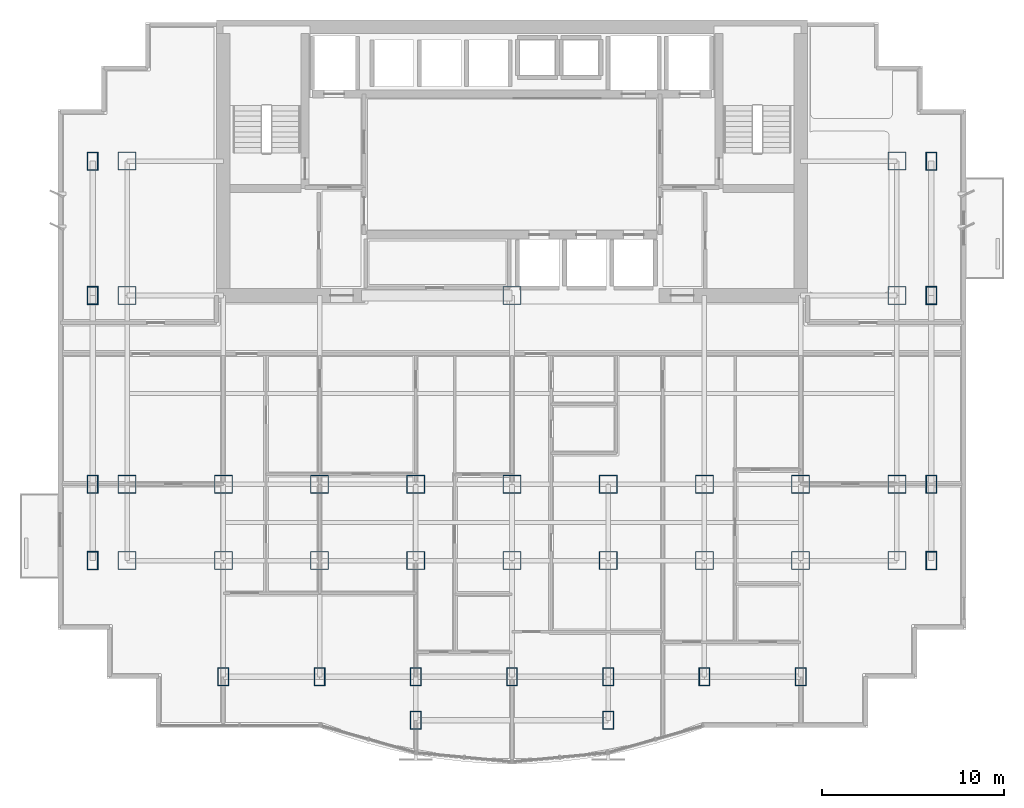
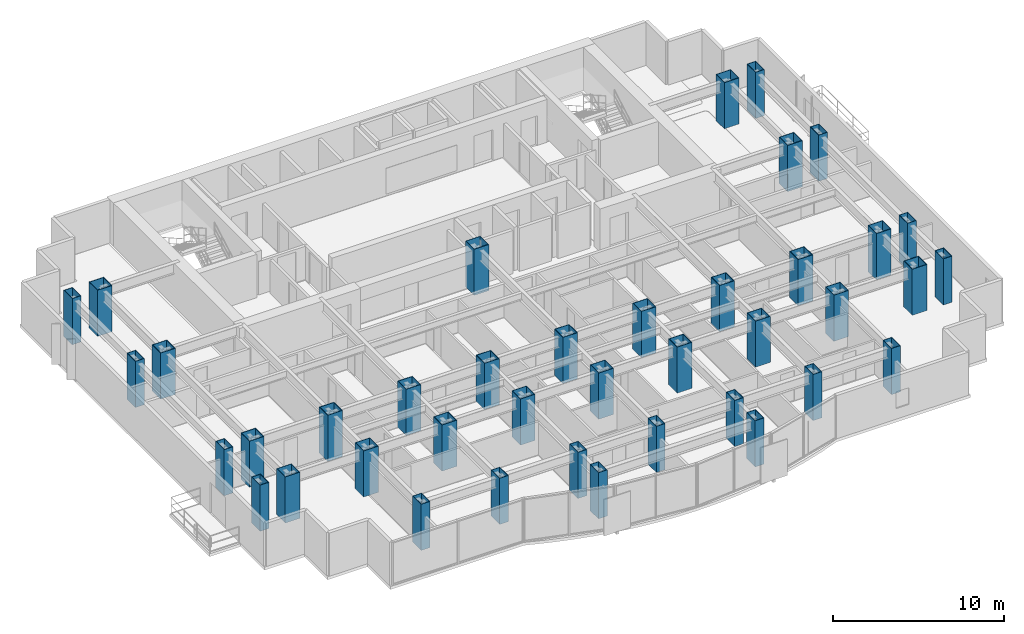
# One storey, part 1 of 10: 40 columns.
"""IFC4 building model written with IfcOpenShell, lengths in metres."""

import ifcopenshell
import ifcopenshell.guid

model = None  # the IFC model being written
_history = None  # IfcOwnerHistory: only IFC2X3 demands one
_inside = {}  # id of a spatial element -> (the spatial element, [elements in it])
_under = {}  # id of a project, library or spatial element -> (it, [spatial elements below it])
_declared = {}  # id of a project -> (the project, [libraries it declares])
_typed = {}  # id of a type object -> (the type object, [elements of that type])
_made_of = {}  # id of a material, layer set ... -> (it, [elements and type objects made of it])


def new_model(schema):
    """Start an empty IFC model of exactly this schema.

    Asked for "IFC4X3", IfcOpenShell would pick the latest addendum, in which some entities
    have other attributes; the version numbers below select the first issue.
    IFC2X3 requires an IfcOwnerHistory on every rooted entity: one is made here for all.
    """
    global model, _history
    if schema == "IFC4X3":
        model = ifcopenshell.file(schema_version=(4, 3, 0, 0))
    else:
        model = ifcopenshell.file(schema=schema)
    _inside.clear()
    _under.clear()
    _declared.clear()
    _typed.clear()
    _made_of.clear()
    _history = None
    if model.schema == "IFC2X3":
        org = make("IfcOrganization", Name="unknown")
        user = make(
            "IfcPersonAndOrganization",
            ThePerson=make("IfcPerson", FamilyName="unknown"),
            TheOrganization=org,
        )
        app = make(
            "IfcApplication",
            ApplicationDeveloper=org,
            Version="unknown",
            ApplicationFullName="unknown",
            ApplicationIdentifier="unknown",
        )
        _history = make(
            "IfcOwnerHistory",
            OwningUser=user,
            OwningApplication=app,
            ChangeAction="ADDED",
            CreationDate=0,
        )
    return model


def make(cls, **values):
    """One entity of the class cls with the attributes given. An attribute that is None is left unset."""
    return model.create_entity(
        cls, **{name: value for name, value in values.items() if value is not None}
    )


def rooted(cls, **values):
    """An entity with a GlobalId (a new one), such as an element, a storey or a relation."""
    return make(cls, GlobalId=ifcopenshell.guid.new(), OwnerHistory=_history, **values)


def si_unit(unit_type, name, prefix=None):
    """IfcSIUnit, for example si_unit("LENGTHUNIT", "METRE", prefix="MILLI")."""
    return make("IfcSIUnit", UnitType=unit_type, Prefix=prefix, Name=name)


def assignment(units):
    """IfcUnitAssignment: the units of a project."""
    return None if units is None else make("IfcUnitAssignment", Units=units)


def point(xyz):
    """IfcCartesianPoint."""
    return None if xyz is None else make("IfcCartesianPoint", Coordinates=xyz)


def direction(xyz):
    """IfcDirection."""
    return None if xyz is None else make("IfcDirection", DirectionRatios=xyz)


def frame(location, z_axis=None, x_axis=None):
    """IfcAxis2Placement3D, a coordinate frame: its origin and axes. An axis left out is left unset."""
    return make(
        "IfcAxis2Placement3D",
        Location=point(location),
        Axis=direction(z_axis),
        RefDirection=direction(x_axis),
    )


def frame_2d(location, x_axis=None):
    """IfcAxis2Placement2D, a coordinate frame in the plane: its origin and x axis."""
    return make(
        "IfcAxis2Placement2D", Location=point(location), RefDirection=direction(x_axis)
    )


def origin():
    """The frame at (0, 0, 0) with its axes left unset."""
    return frame((0.0, 0.0, 0.0))


def origin_2d():
    """The frame at (0, 0) in the plane with its x axis left unset."""
    return frame_2d((0.0, 0.0))


def place(relative_to, where):
    """IfcLocalPlacement: puts the frame where relative to a parent placement (None: the world)."""
    return make(
        "IfcLocalPlacement", PlacementRelTo=relative_to, RelativePlacement=where
    )


def context(
    kind, dimensions, precision=None, world=None, true_north=None, identifier=None
):
    """IfcGeometricRepresentationContext, for example the 3D "Model" context."""
    return make(
        "IfcGeometricRepresentationContext",
        ContextIdentifier=identifier,
        ContextType=kind,
        CoordinateSpaceDimension=dimensions,
        Precision=precision,
        WorldCoordinateSystem=world,
        TrueNorth=true_north,
    )


def subcontext(parent, identifier, kind, view, scale=None):
    """IfcGeometricRepresentationSubContext, for example "Body" below "Model"."""
    return make(
        "IfcGeometricRepresentationSubContext",
        ContextIdentifier=identifier,
        ContextType=kind,
        ParentContext=parent,
        TargetScale=scale,
        TargetView=view,
    )


def project(units=None, contexts=None):
    """IfcProject with its units and contexts."""
    return rooted(
        "IfcProject",
        Name="project",
        RepresentationContexts=contexts,
        UnitsInContext=assignment(units),
    )


def spatial(cls, under=None, at=None, **own):
    """A site, building, storey or space (cls), placed at a placement, below another one or the project."""
    s = rooted(cls, ObjectPlacement=at, **own)
    if under is not None:
        _under.setdefault(under.id(), (under, []))[1].append(s)
    return s


def profile(cls, at=None, kind="AREA", **sizes):
    """A parametric profile (cls). Its sizes go by their IFC names, for example OverallWidth=200.0."""
    return make(cls, ProfileType=kind, Position=at, **sizes)


def hollow_rectangle(**sizes):
    """IfcRectangleHollowProfileDef."""
    return profile("IfcRectangleHollowProfileDef", **sizes)


def extrude(swept, where, along, depth):
    """IfcExtrudedAreaSolid: the profile swept, set in the frame where, extruded along a direction by depth."""
    return make(
        "IfcExtrudedAreaSolid",
        SweptArea=swept,
        Position=where,
        ExtrudedDirection=direction(along),
        Depth=depth,
    )


def shape(context_of_items, identifier, shape_type, items):
    """IfcShapeRepresentation: the items that make up one representation, for example the "Body"."""
    return make(
        "IfcShapeRepresentation",
        ContextOfItems=context_of_items,
        RepresentationIdentifier=identifier,
        RepresentationType=shape_type,
        Items=items,
    )


def material(Name=None, Category=None):
    """IfcMaterial."""
    return make("IfcMaterial", Name=Name, Category=Category)


def material_profile(
    of_material, cross_section, Name=None, Category=None, Priority=None
):
    """IfcMaterialProfile: a cross section and its material."""
    return make(
        "IfcMaterialProfile",
        Name=Name,
        Material=of_material,
        Profile=cross_section,
        Priority=Priority,
        Category=Category,
    )


def profile_set(profiles, Name=None, composite=None):
    """IfcMaterialProfileSet."""
    return make(
        "IfcMaterialProfileSet",
        Name=Name,
        MaterialProfiles=profiles,
        CompositeProfile=composite,
    )


def made_of(thing, what):
    """Note that an element or type object is made of a material, layer set ...; save() writes the relation."""
    if what is not None:
        _made_of.setdefault(what.id(), (what, []))[1].append(thing)
    return thing


def type_object(cls, material=None, **own):
    """A type object (cls), such as IfcWallType, which elements share."""
    return made_of(rooted(cls, **own), material)


def element(
    cls,
    number,
    at=None,
    inside=None,
    cuts=None,
    type_object=None,
    material=None,
    context=None,
    identifier="Body",
    shape_type=None,
    held_by="IfcProductDefinitionShape",
    body=None,
    shapes=None,
    **own,
):
    """One element of the class cls, such as IfcWall. Its Tag is "e" and its number.

    at: its placement. inside: the storey or other place that contains it. cuts: it is an
    opening in that element (IfcRelVoidsElement). A single representation is given by context,
    identifier, shape_type and body (its items); several are given by shapes. held_by: the class
    of the entity that holds the representations. save() writes the other relations.
    """
    e = rooted(cls, Tag="e%d" % number, ObjectPlacement=at, **own)
    if body is not None:
        shapes = [shape(context, identifier, shape_type, body)]
    if shapes is not None:
        e.Representation = make(held_by, Representations=shapes)
    if inside is not None:
        _inside.setdefault(inside.id(), (inside, []))[1].append(e)
    if cuts is not None:
        rooted(
            "IfcRelVoidsElement", RelatingBuildingElement=cuts, RelatedOpeningElement=e
        )
    if type_object is not None:
        _typed.setdefault(type_object.id(), (type_object, []))[1].append(e)
    return made_of(e, material)


def aggregate(whole, parts):
    """IfcRelAggregates: a whole, such as a stair, and the parts it consists of."""
    return rooted("IfcRelAggregates", RelatingObject=whole, RelatedObjects=parts)


def save(model, path):
    """Write the relations noted so far, then the file.

    IfcRelAggregates (storeys below a building ...), IfcRelContainedInSpatialStructure (elements
    in a storey), IfcRelDefinesByType, IfcRelAssociatesMaterial and IfcRelDeclares: one each for
    every whole, place, type object, material and project.
    """
    for whole, parts in _under.values():
        aggregate(whole, parts)
    for where, things in _inside.values():
        rooted(
            "IfcRelContainedInSpatialStructure",
            RelatedElements=things,
            RelatingStructure=where,
        )
    for kind, things in _typed.values():
        rooted("IfcRelDefinesByType", RelatedObjects=things, RelatingType=kind)
    for what, things in _made_of.values():
        rooted("IfcRelAssociatesMaterial", RelatedObjects=things, RelatingMaterial=what)
    for by, libraries in _declared.values():
        rooted("IfcRelDeclares", RelatingContext=by, RelatedDefinitions=libraries)
    model.write(path)


model = new_model("IFC4")

# Units and contexts
model_context = context("Model", 3, precision=1e-05, world=origin(), true_north=direction((0.0, 1.0)))
body_context = subcontext(model_context, "Body", "Model", "MODEL_VIEW")
ifc_project = project(units=[si_unit("LENGTHUNIT", "METRE"), si_unit("AREAUNIT", "SQUARE_METRE"), si_unit("VOLUMEUNIT", "CUBIC_METRE"), si_unit("PLANEANGLEUNIT", "RADIAN"), si_unit("MASSUNIT", "GRAM", prefix="KILO")], contexts=[model_context])

# Site, building, storey
site_placement = place(None, origin())
site = spatial("IfcSite", under=ifc_project, at=site_placement, CompositionType="ELEMENT")
building_placement = place(site_placement, origin())
building = spatial("IfcBuilding", under=site, at=building_placement, Name="Qianlan Lanfeng Residences", CompositionType="ELEMENT")
storey_placement = place(building_placement, frame((0.0, 0.0, 98.199951171875)))
storey = spatial("IfcBuildingStorey", under=building, at=storey_placement, Name="L26", CompositionType="ELEMENT", Elevation=98.199951171875)

# Columns
ifc_material = material(Name="Steel SN490B", Category="steel")
ifc_material_profile_1 = material_profile(ifc_material, hollow_rectangle(XDim=1.0, YDim=1.0, WallThickness=0.035888671875, at=origin_2d()), Name="BOX 1000x1000x36")
ifc_profile_set_1 = profile_set([ifc_material_profile_1], Name="Steel SN490B")
column_type_1 = type_object("IfcColumnType", Name="C-B1200", PredefinedType="COLUMN", material=ifc_profile_set_1)
for number, where, z_axis, x_axis, name in (
    (1, (26.5, 25.199951171875, 0.0), (0.0, 0.0, 1.0), (1.0, 0.0, 0.0), "L26 Structural Column CP_26.5_25.2"),
    (2, (10.60009765625, 14.800048828125, 0.0), (0.0, 0.0, 1.0), (1.0, 0.0, 0.0), "L26 Structural Column M_10.60_14.80"),
    (3, (10.60009765625, 10.60009765625, 0.0), (0.0, 0.0, 1.0), (1.0, 0.0, 0.0), "L26 Structural Column G_10.60_10.60"),
    (4, (15.89990234375, 14.800048828125, 0.0), (0.0, 0.0, 1.0), (1.0, 0.0, 0.0), "L26 Structural Column M_15.90_14.80"),
    (5, (15.89990234375, 10.60009765625, 0.0), (0.0, 0.0, 1.0), (1.0, 0.0, 0.0), "L26 Structural Column G_15.90_10.60"),
    (6, (21.199951171875, 14.800048828125, 0.0), (0.0, 0.0, 1.0), (1.0, 0.0, 0.0), "L26 Structural Column M_21.20_14.80"),
    (7, (21.199951171875, 10.60009765625, 0.0), (0.0, 0.0, 1.0), (1.0, 0.0, 0.0), "L26 Structural Column G_21.20_10.60"),
    (8, (26.5, 14.800048828125, 0.0), (0.0, 0.0, 1.0), (1.0, 0.0, 0.0), "L26 Structural Column M_26.50_14.80"),
    (9, (26.5, 10.60009765625, 0.0), (0.0, 0.0, 1.0), (1.0, 0.0, 0.0), "L26 Structural Column G_26.50_10.60"),
    (10, (31.800048828125, 14.800048828125, 0.0), (0.0, 0.0, 1.0), (1.0, 0.0, 0.0), "L26 Structural Column M_31.80_14.80"),
    (11, (31.800048828125, 10.60009765625, 0.0), (0.0, 0.0, 1.0), (1.0, 0.0, 0.0), "L26 Structural Column G_31.80_10.60"),
    (12, (37.10009765625, 14.800048828125, 0.0), (0.0, 0.0, 1.0), (1.0, 0.0, 0.0), "L26 Structural Column M_37.10_14.80"),
    (13, (37.10009765625, 10.60009765625, 0.0), (0.0, 0.0, 1.0), (1.0, 0.0, 0.0), "L26 Structural Column G_37.10_10.60"),
    (14, (42.39990234375, 14.800048828125, 0.0), (0.0, 0.0, 1.0), (1.0, 0.0, 0.0), "L26 Structural Column M_42.40_14.80"),
    (15, (42.39990234375, 10.60009765625, 0.0), (0.0, 0.0, 1.0), (1.0, 0.0, 0.0), "L26 Structural Column G_42.40_10.60"),
    (16, (5.300048828125, 10.60009765625, 0.0), (0.0, 0.0, 1.0), (1.0, 0.0, 0.0), "L26 Structural Column W_5.30_10.60"),
    (17, (5.300048828125, 14.800048828125, 0.0), (0.0, 0.0, 1.0), (1.0, 0.0, 0.0), "L26 Structural Column W_5.30_14.80"),
    (18, (5.300048828125, 25.199951171875, 0.0), (0.0, 0.0, 1.0), (1.0, 0.0, 0.0), "L26 Structural Column W_5.30_25.20"),
    (19, (5.300048828125, 32.60009765625, 0.0), (0.0, 0.0, 1.0), (1.0, 0.0, 0.0), "L26 Structural Column W_5.30_32.60"),
    (20, (47.699951171875, 10.60009765625, 0.0), (0.0, 0.0, 1.0), (1.0, 0.0, 0.0), "L26 Structural Column W_47.70_10.60"),
    (21, (47.699951171875, 14.800048828125, 0.0), (0.0, 0.0, 1.0), (1.0, 0.0, 0.0), "L26 Structural Column W_47.70_14.80"),
    (22, (47.699951171875, 25.199951171875, 0.0), (0.0, 0.0, 1.0), (1.0, 0.0, 0.0), "L26 Structural Column W_47.70_25.20"),
    (23, (47.699951171875, 32.60009765625, 0.0), (0.0, 0.0, 1.0), (1.0, 0.0, 0.0), "L26 Structural Column W_47.70_32.60"),
):
    element("IfcColumn", number, at=place(storey_placement, frame(where, z_axis=z_axis, x_axis=x_axis)), inside=storey, type_object=column_type_1, Name=name, PredefinedType="COLUMN", context=body_context, shape_type="SweptSolid", body=[
        extrude(hollow_rectangle(XDim=1.0, YDim=1.0, WallThickness=0.035888671875, at=origin_2d()), origin(), (0.0, 0.0, 1.0), 3.300048828125),
    ])
ifc_material_profile_2 = material_profile(ifc_material, hollow_rectangle(XDim=0.60009765625, YDim=1.0, WallThickness=0.031982421875, at=origin_2d()), Name="BOX 1000x600x32")
ifc_profile_set_2 = profile_set([ifc_material_profile_2], Name="Steel SN490B")
column_type_2 = type_object("IfcColumnType", Name="CE-B1100", PredefinedType="COLUMN", material=ifc_profile_set_2)
for number, where, z_axis, x_axis, name in (
    (24, (21.199951171875, 1.800048828125, 0.0), (0.0, 0.0, 1.0), (1.0, 0.0, 0.0), "L26 Structural Column P_21.20_1.80"),
    (25, (31.800048828125, 1.800048828125, 0.0), (0.0, 0.0, 1.0), (1.0, 0.0, 0.0), "L26 Structural Column P_31.80_1.80"),
    (26, (10.60009765625, 4.199951171875, 0.0), (0.0, 0.0, 1.0), (1.0, 0.0, 0.0), "L26 Structural Column S_10.60_4.20"),
    (27, (15.89990234375, 4.199951171875, 0.0), (0.0, 0.0, 1.0), (1.0, 0.0, 0.0), "L26 Structural Column S_15.90_4.20"),
    (28, (21.199951171875, 4.199951171875, 0.0), (0.0, 0.0, 1.0), (1.0, 0.0, 0.0), "L26 Structural Column S_21.20_4.20"),
    (29, (26.5, 4.199951171875, 0.0), (0.0, 0.0, 1.0), (1.0, 0.0, 0.0), "L26 Structural Column S_26.50_4.20"),
    (30, (31.800048828125, 4.199951171875, 0.0), (0.0, 0.0, 1.0), (1.0, 0.0, 0.0), "L26 Structural Column S_31.80_4.20"),
    (31, (37.10009765625, 4.199951171875, 0.0), (0.0, 0.0, 1.0), (1.0, 0.0, 0.0), "L26 Structural Column S_37.10_4.20"),
    (32, (42.39990234375, 4.199951171875, 0.0), (0.0, 0.0, 1.0), (1.0, 0.0, 0.0), "L26 Structural Column S_42.40_4.20"),
    (33, (3.39990234375, 10.60009765625, 0.0), (0.0, 0.0, 1.0), (1.0, 0.0, 0.0), "L26 Structural Column W_3.40_10.60"),
    (34, (3.39990234375, 14.800048828125, 0.0), (0.0, 0.0, 1.0), (1.0, 0.0, 0.0), "L26 Structural Column W_3.40_14.80"),
    (35, (3.39990234375, 25.199951171875, 0.0), (0.0, 0.0, 1.0), (1.0, 0.0, 0.0), "L26 Structural Column W_3.40_25.20"),
    (36, (3.39990234375, 32.60009765625, 0.0), (0.0, 0.0, 1.0), (1.0, 0.0, 0.0), "L26 Structural Column W_3.40_32.60"),
    (37, (49.60009765625, 10.60009765625, 0.0), (0.0, 0.0, 1.0), (1.0, 0.0, 0.0), "L26 Structural Column W_49.60_10.60"),
    (38, (49.60009765625, 14.800048828125, 0.0), (0.0, 0.0, 1.0), (1.0, 0.0, 0.0), "L26 Structural Column W_49.60_14.80"),
    (39, (49.60009765625, 25.199951171875, 0.0), (0.0, 0.0, 1.0), (1.0, 0.0, 0.0), "L26 Structural Column W_49.60_25.20"),
    (40, (49.60009765625, 32.60009765625, 0.0), (0.0, 0.0, 1.0), (1.0, 0.0, 0.0), "L26 Structural Column W_49.60_32.60"),
):
    element("IfcColumn", number, at=place(storey_placement, frame(where, z_axis=z_axis, x_axis=x_axis)), inside=storey, type_object=column_type_2, Name=name, PredefinedType="COLUMN", context=body_context, shape_type="SweptSolid", body=[
        extrude(hollow_rectangle(XDim=0.60009765625, YDim=1.0, WallThickness=0.031982421875, at=origin_2d()), origin(), (0.0, 0.0, 1.0), 3.300048828125),
    ])

save(model, "model.ifc")
